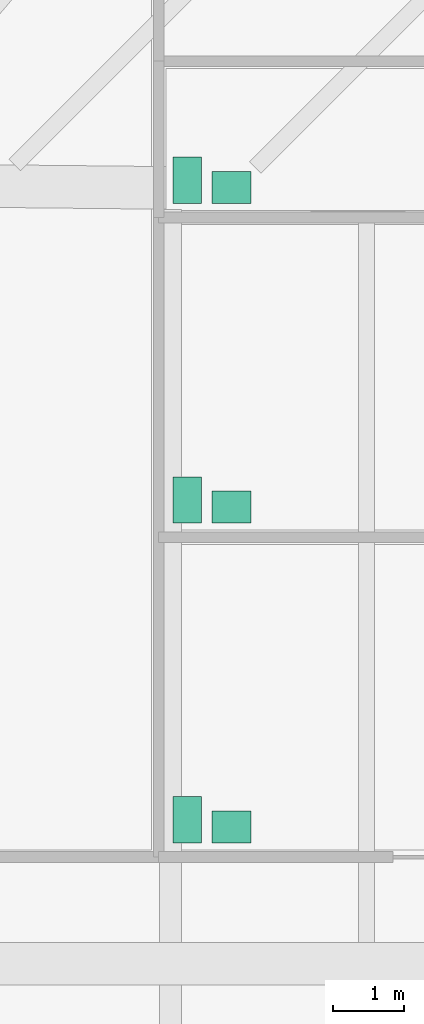
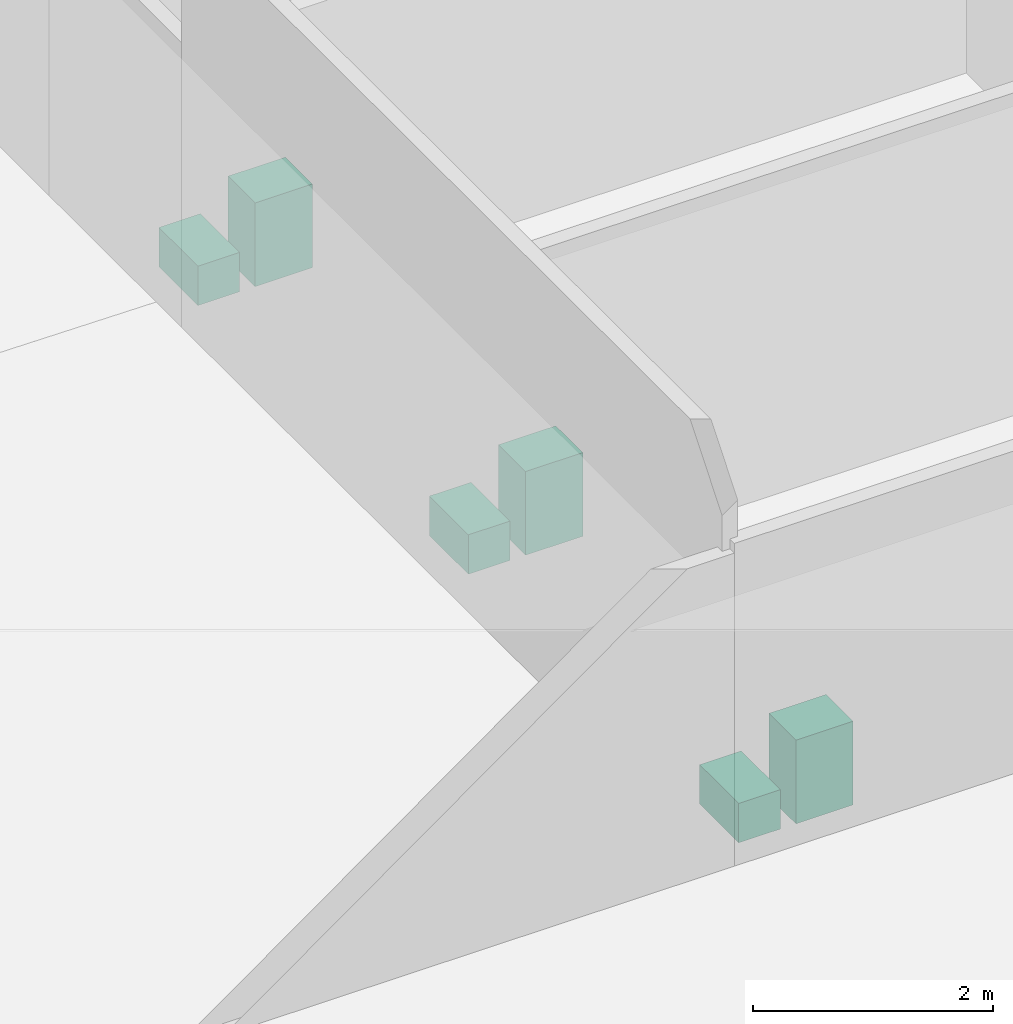
# One storey, part 14 of 15: 6 sanitary terminals.
"""IFC4 building model written with IfcOpenShell, lengths in metres."""

from ifc_helpers import new_model, si_unit, direction, frame, origin, origin_2d, place, context, subcontext, project, spatial, rectangle, extrude, material, type_object, element, save


model = new_model("IFC4")

# Units and contexts
model_context = context("Model", 3, precision=1e-05, world=origin(), true_north=direction((0.0, 1.0)))
body_context = subcontext(model_context, "Body", "Model", "MODEL_VIEW")
ifc_project = project(units=[si_unit("LENGTHUNIT", "METRE"), si_unit("AREAUNIT", "SQUARE_METRE"), si_unit("VOLUMEUNIT", "CUBIC_METRE"), si_unit("PLANEANGLEUNIT", "RADIAN"), si_unit("MASSUNIT", "GRAM", prefix="KILO")], contexts=[model_context])

# Site, building, storey
site_placement = place(None, origin())
site = spatial("IfcSite", under=ifc_project, at=site_placement, CompositionType="ELEMENT")
building_placement = place(site_placement, origin())
building = spatial("IfcBuilding", under=site, at=building_placement, Name="Mashrafa Tower", CompositionType="ELEMENT")
storey_placement = place(building_placement, frame((0.0, 0.0, -4.5)))
storey = spatial("IfcBuildingStorey", under=building, at=storey_placement, Name="B1", CompositionType="ELEMENT", Elevation=-4.5)

# Sanitary terminals
ifc_material_1 = material(Name="Vitreous china")
sanitary_terminal_type_1 = type_object("IfcSanitaryTerminalType", Name="Toilet pan 400 x 650", PredefinedType="TOILETPAN", material=ifc_material_1)
for number, where, z_axis, x_axis, name in (
    (1, (-21.60009765625, 2.02490234375, 0.0), (0.0, 0.0, 1.0), (1.0, 0.0, 0.0), "Toilet pan WC Female B1"),
    (2, (-21.60009765625, 6.52490234375, 0.0), (0.0, 0.0, 1.0), (1.0, 0.0, 0.0), "Toilet pan WC Male B1"),
    (3, (-21.60009765625, 11.02490234375, 0.0), (0.0, 0.0, 1.0), (1.0, 0.0, 0.0), "Toilet pan Accessible WC B1"),
):
    element("IfcSanitaryTerminal", number, at=place(storey_placement, frame(where, z_axis=z_axis, x_axis=x_axis)), inside=storey, type_object=sanitary_terminal_type_1, Name=name, PredefinedType="TOILETPAN", context=body_context, shape_type="SweptSolid", body=[
        extrude(rectangle(XDim=0.39990234375, YDim=0.64990234375, at=origin_2d()), origin(), (0.0, 0.0, 1.0), 0.39990234375),
    ])
ifc_material_2 = material(Name="Vitreous china")
sanitary_terminal_type_2 = type_object("IfcSanitaryTerminalType", Name="Wash basin 550 x 450", PredefinedType="WASHHANDBASIN", material=ifc_material_2)
for number, where, z_axis, x_axis, name in (
    (4, (-20.97509765625, 1.925048828125, 0.0), (0.0, 0.0, 1.0), (1.0, 0.0, 0.0), "Wash basin WC Female B1"),
    (5, (-20.97509765625, 6.425048828125, 0.0), (0.0, 0.0, 1.0), (1.0, 0.0, 0.0), "Wash basin WC Male B1"),
    (6, (-20.97509765625, 10.925048828125, 0.0), (0.0, 0.0, 1.0), (1.0, 0.0, 0.0), "Wash basin Accessible WC B1"),
):
    element("IfcSanitaryTerminal", number, at=place(storey_placement, frame(where, z_axis=z_axis, x_axis=x_axis)), inside=storey, type_object=sanitary_terminal_type_2, Name=name, PredefinedType="WASHHANDBASIN", context=body_context, shape_type="SweptSolid", body=[
        extrude(rectangle(XDim=0.550048828125, YDim=0.449951171875, at=origin_2d()), origin(), (0.0, 0.0, 1.0), 0.85009765625),
    ])

save(model, "model.ifc")
